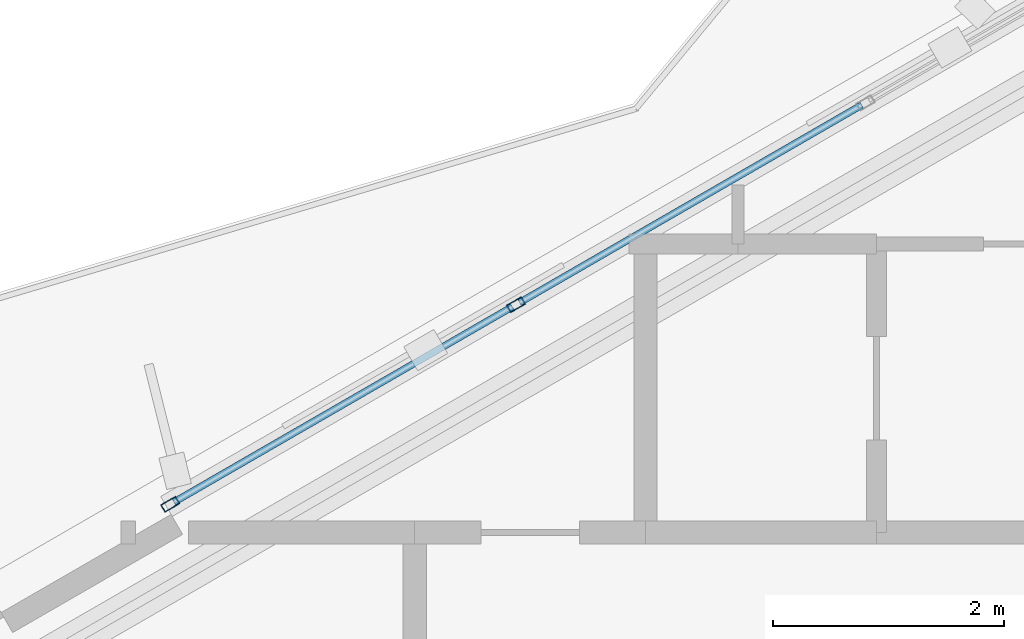
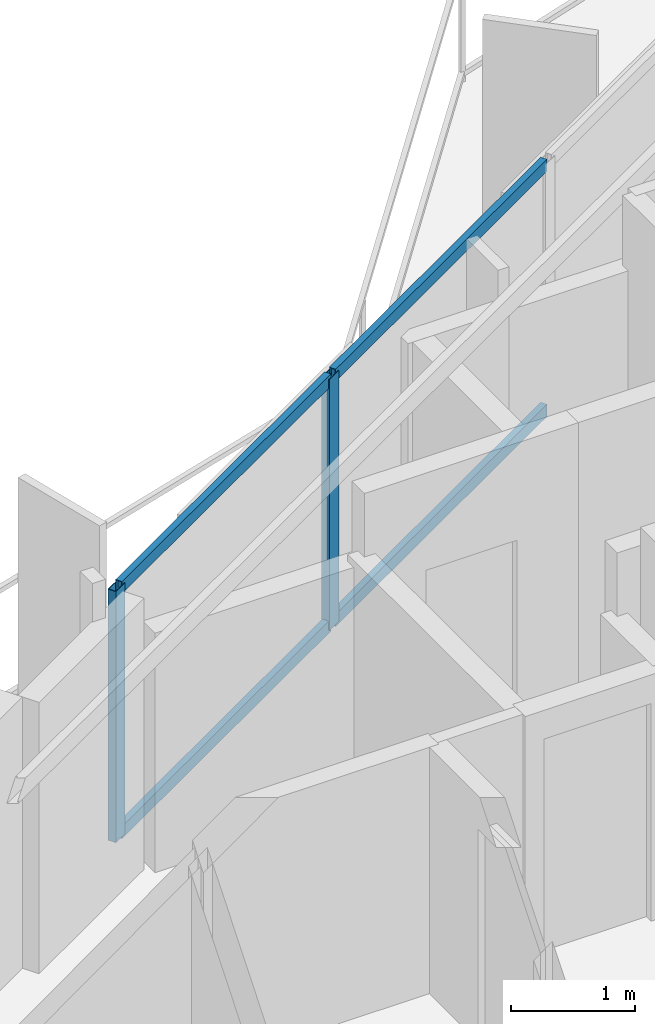
# One storey, part 5 of 18: 6 members, 1 element without a shape of its own.
"""IFC4 building model written with IfcOpenShell, lengths in metres."""

from ifc_helpers import new_model, si_unit, direction, frame, origin, origin_2d, place, context, subcontext, project, spatial, hollow_rectangle, extrude, material, layer, layer_set, material_profile, profile_set, type_object, element, aggregate, save


model = new_model("IFC4")

# Units and contexts
model_context = context("Model", 3, precision=1e-05, world=origin(), true_north=direction((0.0, 1.0)))
body_context = subcontext(model_context, "Body", "Model", "MODEL_VIEW")
ifc_project = project(units=[si_unit("LENGTHUNIT", "METRE"), si_unit("AREAUNIT", "SQUARE_METRE"), si_unit("VOLUMEUNIT", "CUBIC_METRE"), si_unit("PLANEANGLEUNIT", "RADIAN"), si_unit("MASSUNIT", "GRAM", prefix="KILO")], contexts=[model_context])

# Site, building, storey
site_placement = place(None, origin())
site = spatial("IfcSite", under=ifc_project, at=site_placement, CompositionType="ELEMENT")
building_placement = place(site_placement, origin())
building = spatial("IfcBuilding", under=site, at=building_placement, Name="Mersakhor Tower and Convention Hall", CompositionType="ELEMENT")
storey_placement = place(building_placement, frame((0.0, 0.0, 137.699951171875)))
storey = spatial("IfcBuildingStorey", under=building, at=storey_placement, Name="L38", CompositionType="ELEMENT", Elevation=137.699951171875)

# Curtain wall, members
ifc_material_1 = material(Name="Dark solar low-E aluminium curtain wall", Category="aluminium")
ifc_layer = layer(ifc_material_1, 0.169921875)
ifc_layer_set = layer_set([ifc_layer], Name="Dark solar low-E aluminium curtain wall")
curtain_wall_type = type_object("IfcCurtainWallType", Name="CW-SYS-02", PredefinedType="USERDEFINED", material=ifc_layer_set)
curtain_wall_placement = place(storey_placement, origin())
curtain_wall = element("IfcCurtainWall", 1, at=curtain_wall_placement, inside=storey, type_object=curtain_wall_type, Name="L38 Dark-Glass Curtain Wall F1-B2", ObjectType="CURTAIN WALL", PredefinedType="USERDEFINED")
ifc_material_2 = material(Name="Anodised aluminium EN AW-6063 T6", Category="aluminium")
ifc_material_profile_1 = material_profile(ifc_material_2, hollow_rectangle(XDim=0.074951171875, YDim=0.14990234375, WallThickness=0.00634765625, at=origin_2d()), Name="RHS 150x75x6.3")
ifc_profile_set_1 = profile_set([ifc_material_profile_1], Name="Anodised aluminium EN AW-6063 T6")
member_type_1 = type_object("IfcMemberType", Name="CWM-150x75", PredefinedType="MULLION", material=ifc_profile_set_1)
member_1_placement = place(storey_placement, frame((17.88232421875, 35.595458984375, 0.199951171875), z_axis=(0.0, 0.0, 1.0), x_axis=(-0.499990468363, 0.866030906807, 0.0)))
member_1 = element("IfcMember", 2, at=member_1_placement, type_object=member_type_1, Name="CW-02 mullion 1", PredefinedType="MULLION", context=body_context, shape_type="SweptSolid", body=[
    extrude(hollow_rectangle(XDim=0.074951171875, YDim=0.14990234375, WallThickness=0.00634765625, at=origin_2d()), origin(), (0.0, 0.0, 1.0), 2.47998046875),
])
member_2_placement = place(storey_placement, frame((20.876953125, 37.32421875, 0.199951171875), z_axis=(0.0, 0.0, 1.0), x_axis=(-0.499990468363, 0.866030906807, 0.0)))
member_2 = element("IfcMember", 3, at=member_2_placement, type_object=member_type_1, Name="CW-02 mullion 2", PredefinedType="MULLION", context=body_context, shape_type="SweptSolid", body=[
    extrude(hollow_rectangle(XDim=0.074951171875, YDim=0.14990234375, WallThickness=0.00634765625, at=origin_2d()), origin(), (0.0, 0.0, 1.0), 2.47998046875),
])
ifc_material_3 = material(Name="Anodised aluminium EN AW-6063 T6", Category="aluminium")
ifc_material_profile_2 = material_profile(ifc_material_3, hollow_rectangle(XDim=0.06005859375, YDim=0.1201171875, WallThickness=0.0048828125, at=origin_2d()), Name="RHS 120x60x5")
ifc_profile_set_2 = profile_set([ifc_material_profile_2], Name="Anodised aluminium EN AW-6063 T6")
member_type_2 = type_object("IfcMemberType", Name="CWT-120x60", PredefinedType="USERDEFINED", material=ifc_profile_set_2)
member_3_placement = place(storey_placement, frame((17.914794921875, 35.6142578125, 0.22998046875), z_axis=(0.866031754707, 0.499988999718, 0.0), x_axis=(-0.499988999718, 0.866031754707, 0.0)))
member_3 = element("IfcMember", 4, at=member_3_placement, type_object=member_type_2, Name="CW-02 transom 1.1", ObjectType="TRANSOM", PredefinedType="USERDEFINED", context=body_context, shape_type="SweptSolid", body=[
    extrude(hollow_rectangle(XDim=0.06005859375, YDim=0.1201171875, WallThickness=0.0048828125, at=origin_2d()), origin(), (0.0, 0.0, 1.0), 3.3828125),
])
member_4_placement = place(storey_placement, frame((17.914794921875, 35.6142578125, 2.650146484375), z_axis=(0.866031754707, 0.499988999718, 0.0), x_axis=(-0.499988999718, 0.866031754707, 0.0)))
member_4 = element("IfcMember", 5, at=member_4_placement, type_object=member_type_2, Name="CW-02 transom 1.2", ObjectType="TRANSOM", PredefinedType="USERDEFINED", context=body_context, shape_type="SweptSolid", body=[
    extrude(hollow_rectangle(XDim=0.06005859375, YDim=0.1201171875, WallThickness=0.0048828125, at=origin_2d()), origin(), (0.0, 0.0, 1.0), 3.3828125),
])
member_5_placement = place(storey_placement, frame((20.909423828125, 37.343017578125, 0.22998046875), z_axis=(0.866007273829, 0.50003140069, 0.0), x_axis=(-0.50003140069, 0.866007273829, 0.0)))
member_5 = element("IfcMember", 6, at=member_5_placement, type_object=member_type_2, Name="CW-02 transom 2.1", ObjectType="TRANSOM", PredefinedType="USERDEFINED", context=body_context, shape_type="SweptSolid", body=[
    extrude(hollow_rectangle(XDim=0.06005859375, YDim=0.1201171875, WallThickness=0.0048828125, at=origin_2d()), origin(), (0.0, 0.0, 1.0), 3.420166015625),
])
member_6_placement = place(storey_placement, frame((20.909423828125, 37.343017578125, 2.650146484375), z_axis=(0.866007273829, 0.50003140069, 0.0), x_axis=(-0.50003140069, 0.866007273829, 0.0)))
member_6 = element("IfcMember", 7, at=member_6_placement, type_object=member_type_2, Name="CW-02 transom 2.2", ObjectType="TRANSOM", PredefinedType="USERDEFINED", context=body_context, shape_type="SweptSolid", body=[
    extrude(hollow_rectangle(XDim=0.06005859375, YDim=0.1201171875, WallThickness=0.0048828125, at=origin_2d()), origin(), (0.0, 0.0, 1.0), 3.420166015625),
])
aggregate(curtain_wall, [member_1, member_2, member_3, member_4, member_5, member_6])

save(model, "model.ifc")
